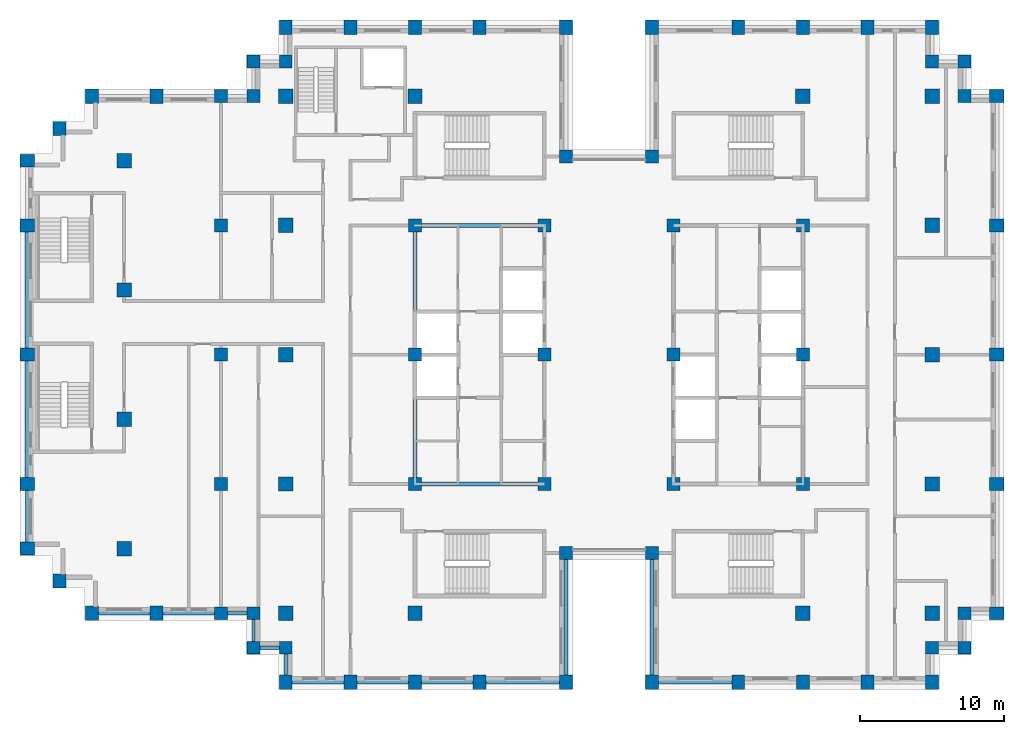
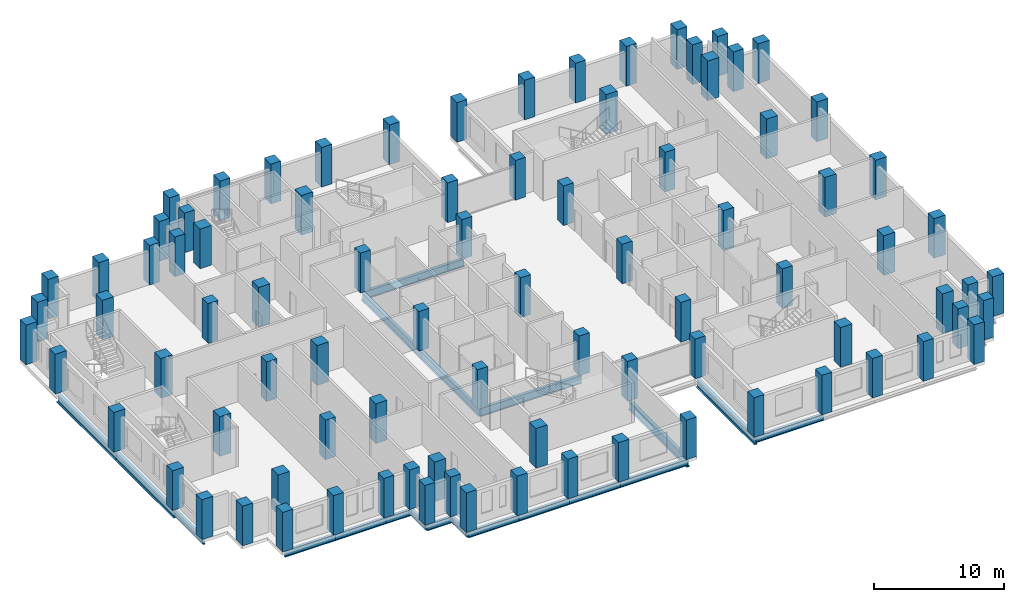
# One storey, part 1 of 15: 87 columns, 20 beams.
"""IFC4 building model written with IfcOpenShell, lengths in metres."""

from ifc_helpers import new_model, si_unit, direction, frame, origin, origin_2d, place, context, subcontext, project, spatial, rectangle, i_section, extrude, material, material_profile, profile_set, type_object, element, save


model = new_model("IFC4")

# Units and contexts
model_context = context("Model", 3, precision=1e-05, world=origin(), true_north=direction((0.0, 1.0)))
body_context = subcontext(model_context, "Body", "Model", "MODEL_VIEW")
ifc_project = project(units=[si_unit("LENGTHUNIT", "METRE"), si_unit("AREAUNIT", "SQUARE_METRE"), si_unit("VOLUMEUNIT", "CUBIC_METRE"), si_unit("PLANEANGLEUNIT", "RADIAN"), si_unit("MASSUNIT", "GRAM", prefix="KILO")], contexts=[model_context])

# Site, building, storey
site_placement = place(None, origin())
site = spatial("IfcSite", under=ifc_project, at=site_placement, CompositionType="ELEMENT")
building_placement = place(site_placement, origin())
building = spatial("IfcBuilding", under=site, at=building_placement, Name="Corbelhall Arena Tower", CompositionType="ELEMENT")
storey_placement = place(building_placement, frame((0.0, 0.0, 196.0)))
storey = spatial("IfcBuildingStorey", under=building, at=storey_placement, Name="L40", CompositionType="ELEMENT", Elevation=196.0)

# Columns
ifc_material_1 = material(Name="Concrete C80/95", Category="concrete")
ifc_material_profile_1 = material_profile(ifc_material_1, rectangle(XDim=1.0, YDim=1.0, at=origin_2d()))
ifc_profile_set_1 = profile_set([ifc_material_profile_1], Name="Concrete C80/95")
column_type_1 = type_object("IfcColumnType", Name="ST-COL-RC 1000x1000", PredefinedType="COLUMN", material=ifc_profile_set_1)
for number, where, z_axis, x_axis, name in (
    (1, (-33.75, 4.5, 0.0), (0.0, 0.0, 1.0), (1.0, 0.0, 0.0), "Column FIC+0450"),
    (2, (-33.75, 13.5, 0.0), (0.0, 0.0, 1.0), (1.0, 0.0, 0.0), "Column FIC+1350"),
    (3, (-33.75, -4.5, 0.0), (0.0, 0.0, 1.0), (1.0, 0.0, 0.0), "Column FIC-0450"),
    (4, (-33.75, -13.5, 0.0), (0.0, 0.0, 1.0), (1.0, 0.0, 0.0), "Column FIC-1350"),
    (5, (13.5, 18.0, 0.0), (0.0, 0.0, 1.0), (1.0, 0.0, 0.0), "Column IE13+1800"),
    (6, (13.5, -18.0, 0.0), (0.0, 0.0, 1.0), (1.0, 0.0, 0.0), "Column IE13-1800"),
    (7, (22.5, 0.0, 0.0), (0.0, 0.0, 1.0), (1.0, 0.0, 0.0), "Column IE22+0000"),
    (8, (22.5, 9.0, 0.0), (0.0, 0.0, 1.0), (1.0, 0.0, 0.0), "Column IE22+0900"),
    (9, (22.5, 18.0, 0.0), (0.0, 0.0, 1.0), (1.0, 0.0, 0.0), "Column IE22+1800"),
    (10, (22.5, -9.0, 0.0), (0.0, 0.0, 1.0), (1.0, 0.0, 0.0), "Column IE22-0900"),
    (11, (22.5, -18.0, 0.0), (0.0, 0.0, 1.0), (1.0, 0.0, 0.0), "Column IE22-1800"),
    (12, (-13.5, 18.0, 0.0), (0.0, 0.0, 1.0), (1.0, 0.0, 0.0), "Column IW13+1800"),
    (13, (-13.5, -18.0, 0.0), (0.0, 0.0, 1.0), (1.0, 0.0, 0.0), "Column IW13-1800"),
    (14, (-22.5, 0.0, 0.0), (0.0, 0.0, 1.0), (1.0, 0.0, 0.0), "Column IW22+0000"),
    (15, (-22.5, 9.0, 0.0), (0.0, 0.0, 1.0), (1.0, 0.0, 0.0), "Column IW22+0900"),
    (16, (-22.5, 18.0, 0.0), (0.0, 0.0, 1.0), (1.0, 0.0, 0.0), "Column IW22+1800"),
    (17, (-22.5, -9.0, 0.0), (0.0, 0.0, 1.0), (1.0, 0.0, 0.0), "Column IW22-0900"),
    (18, (-22.5, -18.0, 0.0), (0.0, 0.0, 1.0), (1.0, 0.0, 0.0), "Column IW22-1800"),
):
    element("IfcColumn", number, at=place(storey_placement, frame(where, z_axis=z_axis, x_axis=x_axis)), inside=storey, type_object=column_type_1, Name=name, PredefinedType="COLUMN", context=body_context, shape_type="SweptSolid", body=[
        extrude(rectangle(XDim=1.0, YDim=1.0, at=origin_2d()), origin(), (0.0, 0.0, 1.0), 3.719970703125),
    ])
ifc_material_profile_2 = material_profile(ifc_material_1, rectangle(XDim=0.89990234375, YDim=1.0, at=origin_2d()))
ifc_profile_set_2 = profile_set([ifc_material_profile_2], Name="Concrete C80/95")
column_type_2 = type_object("IfcColumnType", Name="ST-COL-RC 900x1000", PredefinedType="COLUMN", material=ifc_profile_set_2)
for number, where, z_axis, x_axis, name in (
    (19, (-40.5, 0.0, 0.0), (0.0, 0.0, 1.0), (0.0, 1.0, 0.0), "Column FC+0000"),
    (20, (-40.5, 9.0, 0.0), (0.0, 0.0, 1.0), (0.0, 1.0, 0.0), "Column FC+0900"),
    (21, (-40.5, 13.5, 0.0), (0.0, 0.0, 1.0), (0.0, 1.0, 0.0), "Column FC+1350"),
    (22, (-40.5, -9.0, 0.0), (0.0, 0.0, 1.0), (0.0, 1.0, 0.0), "Column FC-0900"),
    (23, (-40.5, -13.5, 0.0), (0.0, 0.0, 1.0), (0.0, 1.0, 0.0), "Column FC-1350"),
    (24, (-38.25, 15.75, 0.0), (0.0, 0.0, 1.0), (1.0, 0.0, 0.0), "Column FCCN"),
    (25, (-38.25, -15.75, 0.0), (0.0, 0.0, 1.0), (1.0, 0.0, 0.0), "Column FCCS"),
    (26, (-31.5, 18.0, 0.0), (0.0, 0.0, 1.0), (1.0, 0.0, 0.0), "Column FCN3150"),
    (27, (-36.0, 18.0, 0.0), (0.0, 0.0, 1.0), (1.0, 0.0, 0.0), "Column FCN3600"),
    (28, (-31.5, -18.0, 0.0), (0.0, 0.0, 1.0), (1.0, 0.0, 0.0), "Column FCS3150"),
    (29, (-36.0, -18.0, 0.0), (0.0, 0.0, 1.0), (1.0, 0.0, 0.0), "Column FCS3600"),
    (30, (27.0, 0.0, 0.0), (0.0, 0.0, 1.0), (0.0, 1.0, 0.0), "Column PE+0000"),
    (31, (27.0, 9.0, 0.0), (0.0, 0.0, 1.0), (0.0, 1.0, 0.0), "Column PE+0900"),
    (32, (27.0, 18.0, 0.0), (0.0, 0.0, 1.0), (0.0, 1.0, 0.0), "Column PE+1800"),
    (33, (27.0, -9.0, 0.0), (0.0, 0.0, 1.0), (0.0, 1.0, 0.0), "Column PE-0900"),
    (34, (27.0, -18.0, 0.0), (0.0, 0.0, 1.0), (0.0, 1.0, 0.0), "Column PE-1800"),
    (35, (3.0, 22.800048828125, 0.0), (0.0, 0.0, 1.0), (1.0, 0.0, 0.0), "Column PNE0300"),
    (36, (9.0, 22.800048828125, 0.0), (0.0, 0.0, 1.0), (1.0, 0.0, 0.0), "Column PNE0900"),
    (37, (13.5, 22.800048828125, 0.0), (0.0, 0.0, 1.0), (1.0, 0.0, 0.0), "Column PNE1350"),
    (38, (18.0, 22.800048828125, 0.0), (0.0, 0.0, 1.0), (1.0, 0.0, 0.0), "Column PNE1800"),
    (39, (22.5, 22.800048828125, 0.0), (0.0, 0.0, 1.0), (1.0, 0.0, 0.0), "Column PNE2250"),
    (40, (-3.0, 22.800048828125, 0.0), (0.0, 0.0, 1.0), (1.0, 0.0, 0.0), "Column PNW0300"),
    (41, (-9.0, 22.800048828125, 0.0), (0.0, 0.0, 1.0), (1.0, 0.0, 0.0), "Column PNW0900"),
    (42, (-13.5, 22.800048828125, 0.0), (0.0, 0.0, 1.0), (1.0, 0.0, 0.0), "Column PNW1350"),
    (43, (-18.0, 22.800048828125, 0.0), (0.0, 0.0, 1.0), (1.0, 0.0, 0.0), "Column PNW1800"),
    (44, (-22.5, 22.800048828125, 0.0), (0.0, 0.0, 1.0), (1.0, 0.0, 0.0), "Column PNW2250"),
    (45, (3.0, -22.800048828125, 0.0), (0.0, 0.0, 1.0), (1.0, 0.0, 0.0), "Column PSE0300"),
    (46, (9.0, -22.800048828125, 0.0), (0.0, 0.0, 1.0), (1.0, 0.0, 0.0), "Column PSE0900"),
    (47, (13.5, -22.800048828125, 0.0), (0.0, 0.0, 1.0), (1.0, 0.0, 0.0), "Column PSE1350"),
    (48, (18.0, -22.800048828125, 0.0), (0.0, 0.0, 1.0), (1.0, 0.0, 0.0), "Column PSE1800"),
    (49, (22.5, -22.800048828125, 0.0), (0.0, 0.0, 1.0), (1.0, 0.0, 0.0), "Column PSE2250"),
    (50, (-3.0, -22.800048828125, 0.0), (0.0, 0.0, 1.0), (1.0, 0.0, 0.0), "Column PSW0300"),
    (51, (-9.0, -22.800048828125, 0.0), (0.0, 0.0, 1.0), (1.0, 0.0, 0.0), "Column PSW0900"),
    (52, (-13.5, -22.800048828125, 0.0), (0.0, 0.0, 1.0), (1.0, 0.0, 0.0), "Column PSW1350"),
    (53, (-18.0, -22.800048828125, 0.0), (0.0, 0.0, 1.0), (1.0, 0.0, 0.0), "Column PSW1800"),
    (54, (-22.5, -22.800048828125, 0.0), (0.0, 0.0, 1.0), (1.0, 0.0, 0.0), "Column PSW2250"),
):
    element("IfcColumn", number, at=place(storey_placement, frame(where, z_axis=z_axis, x_axis=x_axis)), inside=storey, type_object=column_type_2, Name=name, PredefinedType="COLUMN", context=body_context, shape_type="SweptSolid", body=[
        extrude(rectangle(XDim=0.89990234375, YDim=1.0, at=origin_2d()), origin(), (0.0, 0.0, 1.0), 3.719970703125),
    ])
ifc_material_profile_3 = material_profile(ifc_material_1, rectangle(XDim=0.89990234375, YDim=0.89990234375, at=origin_2d()))
ifc_profile_set_3 = profile_set([ifc_material_profile_3], Name="Concrete C80/95")
column_type_3 = type_object("IfcColumnType", Name="ST-COL-RC 900x900", PredefinedType="COLUMN", material=ifc_profile_set_3)
for number, where, z_axis, x_axis, name in (
    (55, (4.5, 0.0, 0.0), (0.0, 0.0, 1.0), (1.0, 0.0, 0.0), "Column KE+0450+0000"),
    (56, (4.5, 9.0, 0.0), (0.0, 0.0, 1.0), (1.0, 0.0, 0.0), "Column KE+0450+0900"),
    (57, (4.5, -9.0, 0.0), (0.0, 0.0, 1.0), (1.0, 0.0, 0.0), "Column KE+0450-0900"),
    (58, (13.5, 0.0, 0.0), (0.0, 0.0, 1.0), (1.0, 0.0, 0.0), "Column KE+1350+0000"),
    (59, (13.5, 9.0, 0.0), (0.0, 0.0, 1.0), (1.0, 0.0, 0.0), "Column KE+1350+0900"),
    (60, (13.5, -9.0, 0.0), (0.0, 0.0, 1.0), (1.0, 0.0, 0.0), "Column KE+1350-0900"),
    (61, (-4.5, 0.0, 0.0), (0.0, 0.0, 1.0), (1.0, 0.0, 0.0), "Column KW-0450+0000"),
    (62, (-4.5, 9.0, 0.0), (0.0, 0.0, 1.0), (1.0, 0.0, 0.0), "Column KW-0450+0900"),
    (63, (-4.5, -9.0, 0.0), (0.0, 0.0, 1.0), (1.0, 0.0, 0.0), "Column KW-0450-0900"),
    (64, (-13.5, 0.0, 0.0), (0.0, 0.0, 1.0), (1.0, 0.0, 0.0), "Column KW-1350+0000"),
    (65, (-13.5, 9.0, 0.0), (0.0, 0.0, 1.0), (1.0, 0.0, 0.0), "Column KW-1350+0900"),
    (66, (-13.5, -9.0, 0.0), (0.0, 0.0, 1.0), (1.0, 0.0, 0.0), "Column KW-1350-0900"),
    (67, (-27.0, 0.0, 0.0), (0.0, 0.0, 1.0), (1.0, 0.0, 0.0), "Column PW+0000"),
    (68, (-27.0, 9.0, 0.0), (0.0, 0.0, 1.0), (1.0, 0.0, 0.0), "Column PW+0900"),
    (69, (-27.0, 18.0, 0.0), (0.0, 0.0, 1.0), (1.0, 0.0, 0.0), "Column PW+1800"),
    (70, (-27.0, -9.0, 0.0), (0.0, 0.0, 1.0), (1.0, 0.0, 0.0), "Column PW-0900"),
    (71, (-27.0, -18.0, 0.0), (0.0, 0.0, 1.0), (1.0, 0.0, 0.0), "Column PW-1800"),
    (72, (3.0, 13.800048828125, 0.0), (0.0, 0.0, 1.0), (1.0, 0.0, 0.0), "Column SLNE2"),
    (73, (-3.0, 13.800048828125, 0.0), (0.0, 0.0, 1.0), (1.0, 0.0, 0.0), "Column SLNW2"),
    (74, (3.0, -13.800048828125, 0.0), (0.0, 0.0, 1.0), (1.0, 0.0, 0.0), "Column SLSE2"),
    (75, (-3.0, -13.800048828125, 0.0), (0.0, 0.0, 1.0), (1.0, 0.0, 0.0), "Column SLSW2"),
    (76, (22.5, 20.39990234375, 0.0), (0.0, 0.0, 1.0), (1.0, 0.0, 0.0), "Column XNE1"),
    (77, (24.75, 20.39990234375, 0.0), (0.0, 0.0, 1.0), (1.0, 0.0, 0.0), "Column XNE2"),
    (78, (24.75, 18.0, 0.0), (0.0, 0.0, 1.0), (1.0, 0.0, 0.0), "Column XNE3"),
    (79, (-22.5, 20.39990234375, 0.0), (0.0, 0.0, 1.0), (1.0, 0.0, 0.0), "Column XNW1"),
    (80, (-24.75, 20.39990234375, 0.0), (0.0, 0.0, 1.0), (1.0, 0.0, 0.0), "Column XNW2"),
    (81, (-24.75, 18.0, 0.0), (0.0, 0.0, 1.0), (1.0, 0.0, 0.0), "Column XNW3"),
    (82, (22.5, -20.39990234375, 0.0), (0.0, 0.0, 1.0), (1.0, 0.0, 0.0), "Column XSE1"),
    (83, (24.75, -20.39990234375, 0.0), (0.0, 0.0, 1.0), (1.0, 0.0, 0.0), "Column XSE2"),
    (84, (24.75, -18.0, 0.0), (0.0, 0.0, 1.0), (1.0, 0.0, 0.0), "Column XSE3"),
    (85, (-22.5, -20.39990234375, 0.0), (0.0, 0.0, 1.0), (1.0, 0.0, 0.0), "Column XSW1"),
    (86, (-24.75, -20.39990234375, 0.0), (0.0, 0.0, 1.0), (1.0, 0.0, 0.0), "Column XSW2"),
    (87, (-24.75, -18.0, 0.0), (0.0, 0.0, 1.0), (1.0, 0.0, 0.0), "Column XSW3"),
):
    element("IfcColumn", number, at=place(storey_placement, frame(where, z_axis=z_axis, x_axis=x_axis)), inside=storey, type_object=column_type_3, Name=name, PredefinedType="COLUMN", context=body_context, shape_type="SweptSolid", body=[
        extrude(rectangle(XDim=0.89990234375, YDim=0.89990234375, at=origin_2d()), origin(), (0.0, 0.0, 1.0), 3.719970703125),
    ])

# Beams
ifc_material_2 = material(Name="Steel ASTM A992 Gr50", Category="steel")
ifc_material_profile_4 = material_profile(ifc_material_2, i_section(OverallWidth=0.2666015625, OverallDepth=0.761962890625, WebThickness=0.014404296875, FlangeThickness=0.021484375, at=origin_2d()))
ifc_profile_set_4 = profile_set([ifc_material_profile_4], Name="Steel ASTM A992 Gr50")
beam_type_1 = type_object("IfcBeamType", Name="ST-BEAM-W30x116", PredefinedType="BEAM", material=ifc_profile_set_4)
for number, where, z_axis, x_axis, name in (
    (88, (-13.5, -9.0, -0.660888671875), (0.0, 1.0, 0.0), (-1.0, 0.0, 0.0), "Beam CEW 1"),
    (89, (-13.5, 0.0, -0.660888671875), (0.0, 1.0, 0.0), (-1.0, 0.0, 0.0), "Beam CEW 2"),
    (90, (-13.5, -9.0, -0.660888671875), (1.0, 0.0, 0.0), (0.0, 1.0, 0.0), "Beam CEW 5"),
    (91, (-13.5, 9.0, -0.660888671875), (1.0, 0.0, 0.0), (0.0, 1.0, 0.0), "Beam CEW 6"),
):
    element("IfcBeam", number, at=place(storey_placement, frame(where, z_axis=z_axis, x_axis=x_axis)), inside=storey, type_object=beam_type_1, Name=name, PredefinedType="BEAM", context=body_context, shape_type="SweptSolid", body=[
        extrude(i_section(OverallWidth=0.2666015625, OverallDepth=0.761962890625, WebThickness=0.014404296875, FlangeThickness=0.021484375, at=origin_2d()), origin(), (0.0, 0.0, 1.0), 9.0),
    ])
ifc_material_profile_5 = material_profile(ifc_material_2, i_section(OverallWidth=0.228271484375, OverallDepth=0.607177734375, WebThickness=0.01123046875, FlangeThickness=0.017333984375, at=origin_2d()))
ifc_profile_set_5 = profile_set([ifc_material_profile_5], Name="Steel ASTM A992 Gr50")
beam_type_2 = type_object("IfcBeamType", Name="ST-SPANDREL-W24x76", PredefinedType="SPANDREL", material=ifc_profile_set_5)
for number, where, z_axis, x_axis, name in (
    (92, (-40.5, -13.5, -0.58349609375), (0.0, 1.0, 0.0), (-1.0, 0.0, 0.0), "Beam SP 4"),
    (93, (-31.5, -18.0, -0.58349609375), (-1.0, 0.0, 0.0), (0.0, -1.0, 0.0), "Beam SP 7"),
):
    element("IfcBeam", number, at=place(storey_placement, frame(where, z_axis=z_axis, x_axis=x_axis)), inside=storey, type_object=beam_type_2, Name=name, PredefinedType="SPANDREL", context=body_context, shape_type="SweptSolid", body=[
        extrude(i_section(OverallWidth=0.228271484375, OverallDepth=0.607177734375, WebThickness=0.01123046875, FlangeThickness=0.017333984375, at=origin_2d()), origin(), (0.0, 0.0, 1.0), 4.5),
    ])
for number, where, z_axis, x_axis, name in (
    (94, (9.0, -22.800048828125, -0.58349609375), (-1.0, 0.0, 0.0), (0.0, -1.0, 0.0), "Beam SP 24"),
    (95, (-3.0, -22.800048828125, -0.58349609375), (-1.0, 0.0, 0.0), (0.0, -1.0, 0.0), "Beam SP 28"),
):
    element("IfcBeam", number, at=place(storey_placement, frame(where, z_axis=z_axis, x_axis=x_axis)), inside=storey, type_object=beam_type_2, Name=name, PredefinedType="SPANDREL", context=body_context, shape_type="SweptSolid", body=[
        extrude(i_section(OverallWidth=0.228271484375, OverallDepth=0.607177734375, WebThickness=0.01123046875, FlangeThickness=0.017333984375, at=origin_2d()), origin(), (0.0, 0.0, 1.0), 6.0),
    ])
for number, where, z_axis, x_axis, name in (
    (96, (-9.0, -22.800048828125, -0.58349609375), (-1.0, 0.0, 0.0), (0.0, -1.0, 0.0), "Beam SP 29"),
    (97, (-13.5, -22.800048828125, -0.58349609375), (-1.0, 0.0, 0.0), (0.0, -1.0, 0.0), "Beam SP 30"),
    (98, (-18.0, -22.800048828125, -0.58349609375), (-1.0, 0.0, 0.0), (0.0, -1.0, 0.0), "Beam SP 31"),
):
    element("IfcBeam", number, at=place(storey_placement, frame(where, z_axis=z_axis, x_axis=x_axis)), inside=storey, type_object=beam_type_2, Name=name, PredefinedType="SPANDREL", context=body_context, shape_type="SweptSolid", body=[
        extrude(i_section(OverallWidth=0.228271484375, OverallDepth=0.607177734375, WebThickness=0.01123046875, FlangeThickness=0.017333984375, at=origin_2d()), origin(), (0.0, 0.0, 1.0), 4.5),
    ])
beam_1_placement = place(storey_placement, frame((-22.5, -22.800048828125, -0.58349609375), z_axis=(0.0, 1.0, 0.0), x_axis=(-1.0, 0.0, 0.0)))
element("IfcBeam", 99, at=beam_1_placement, inside=storey, type_object=beam_type_2, Name="Beam SP 32", PredefinedType="SPANDREL", context=body_context, shape_type="SweptSolid", body=[
    extrude(i_section(OverallWidth=0.228271484375, OverallDepth=0.607177734375, WebThickness=0.01123046875, FlangeThickness=0.017333984375, at=origin_2d()), origin(), (0.0, 0.0, 1.0), 2.400146484375),
])
beam_2_placement = place(storey_placement, frame((-27.0, -18.0, -0.58349609375), z_axis=(-1.0, 0.0, 0.0), x_axis=(0.0, -1.0, 0.0)))
element("IfcBeam", 100, at=beam_2_placement, inside=storey, type_object=beam_type_2, Name="Beam SP 34", PredefinedType="SPANDREL", context=body_context, shape_type="SweptSolid", body=[
    extrude(i_section(OverallWidth=0.228271484375, OverallDepth=0.607177734375, WebThickness=0.01123046875, FlangeThickness=0.017333984375, at=origin_2d()), origin(), (0.0, 0.0, 1.0), 4.5),
])
beam_3_placement = place(storey_placement, frame((-22.5, -20.39990234375, -0.58349609375), z_axis=(-1.0, 0.0, 0.0), x_axis=(0.0, -1.0, 0.0)))
element("IfcBeam", 101, at=beam_3_placement, inside=storey, type_object=beam_type_2, Name="Beam SP 48", PredefinedType="SPANDREL", context=body_context, shape_type="SweptSolid", body=[
    extrude(i_section(OverallWidth=0.228271484375, OverallDepth=0.607177734375, WebThickness=0.01123046875, FlangeThickness=0.017333984375, at=origin_2d()), origin(), (0.0, 0.0, 1.0), 2.25),
])
beam_4_placement = place(storey_placement, frame((-24.75, -20.39990234375, -0.58349609375), z_axis=(0.0, 1.0, 0.0), x_axis=(-1.0, 0.0, 0.0)))
element("IfcBeam", 102, at=beam_4_placement, inside=storey, type_object=beam_type_2, Name="Beam SP 49", PredefinedType="SPANDREL", context=body_context, shape_type="SweptSolid", body=[
    extrude(i_section(OverallWidth=0.228271484375, OverallDepth=0.607177734375, WebThickness=0.01123046875, FlangeThickness=0.017333984375, at=origin_2d()), origin(), (0.0, 0.0, 1.0), 2.39990234375),
])
beam_5_placement = place(storey_placement, frame((-24.75, -18.0, -0.58349609375), z_axis=(-1.0, 0.0, 0.0), x_axis=(0.0, -1.0, 0.0)))
element("IfcBeam", 103, at=beam_5_placement, inside=storey, type_object=beam_type_2, Name="Beam SP 50", PredefinedType="SPANDREL", context=body_context, shape_type="SweptSolid", body=[
    extrude(i_section(OverallWidth=0.228271484375, OverallDepth=0.607177734375, WebThickness=0.01123046875, FlangeThickness=0.017333984375, at=origin_2d()), origin(), (0.0, 0.0, 1.0), 2.25),
])
ifc_material_profile_6 = material_profile(ifc_material_2, i_section(OverallWidth=0.2919921875, OverallDepth=0.845703125, WebThickness=0.015380859375, FlangeThickness=0.0244140625, at=origin_2d()))
ifc_profile_set_6 = profile_set([ifc_material_profile_6], Name="Steel ASTM A992 Gr50")
beam_type_3 = type_object("IfcBeamType", Name="ST-SPANDREL-W33x141", PredefinedType="SPANDREL", material=ifc_profile_set_6)
for number, where, z_axis, x_axis, name in (
    (104, (-40.5, 0.0, -0.702880859375), (0.0, 1.0, 0.0), (-1.0, 0.0, 0.0), "Beam SP 1"),
    (105, (-40.5, -9.0, -0.702880859375), (0.0, 1.0, 0.0), (-1.0, 0.0, 0.0), "Beam SP 3"),
    (106, (3.0, -22.800048828125, -0.702880859375), (0.0, 1.0, 0.0), (-1.0, 0.0, 0.0), "Beam SP 23"),
    (107, (-3.0, -13.800048828125, -0.702880859375), (0.0, -1.0, 0.0), (1.0, 0.0, 0.0), "Beam SP 38"),
):
    element("IfcBeam", number, at=place(storey_placement, frame(where, z_axis=z_axis, x_axis=x_axis)), inside=storey, type_object=beam_type_3, Name=name, PredefinedType="SPANDREL", context=body_context, shape_type="SweptSolid", body=[
        extrude(i_section(OverallWidth=0.2919921875, OverallDepth=0.845703125, WebThickness=0.015380859375, FlangeThickness=0.0244140625, at=origin_2d()), origin(), (0.0, 0.0, 1.0), 9.0),
    ])

save(model, "model.ifc")
